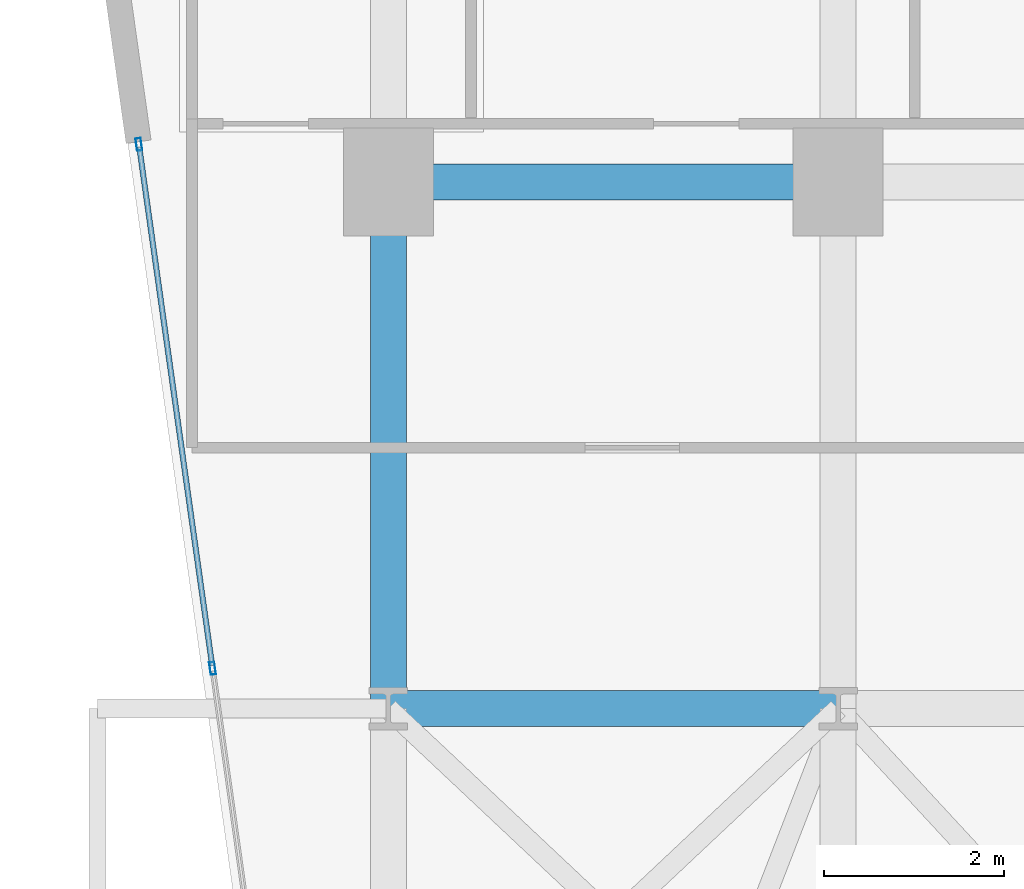
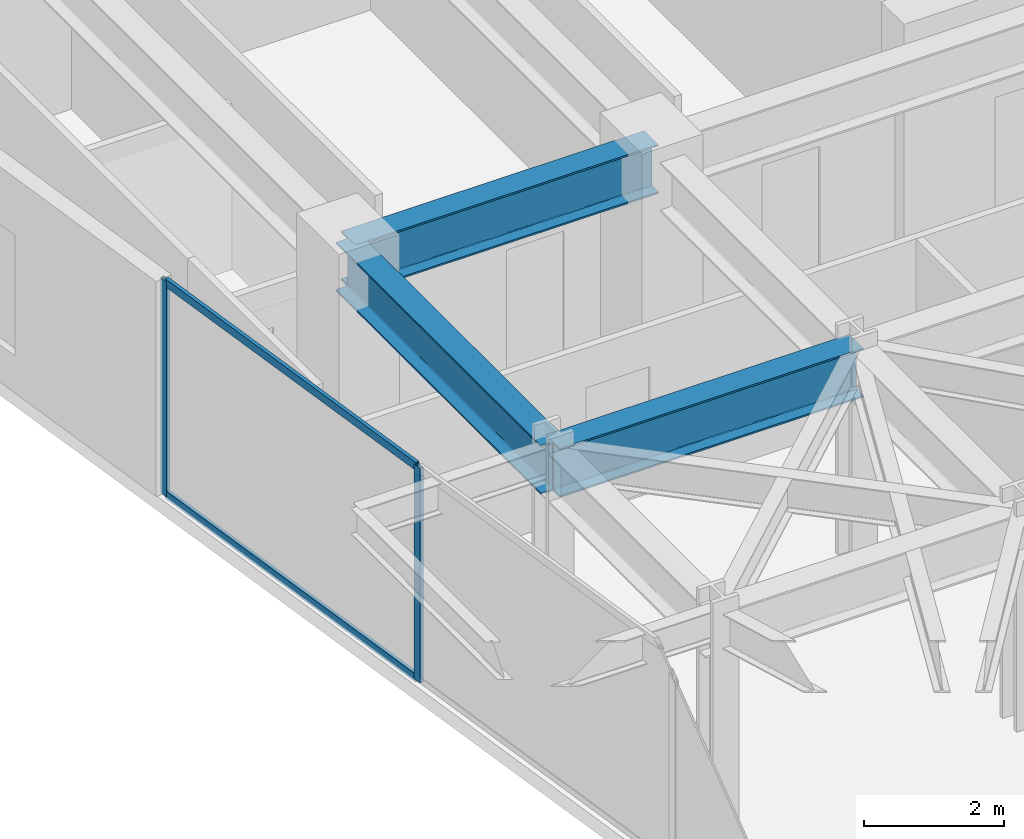
# One storey, part 11 of 26: 4 members, 3 beams, 1 element without a shape of its own.
"""IFC4 building model written with IfcOpenShell, lengths in metres."""

from ifc_helpers import new_model, si_unit, direction, frame, origin, origin_2d, place, context, subcontext, project, spatial, hollow_rectangle, i_section, extrude, material, layer, layer_set, material_profile, profile_set, type_object, element, aggregate, save


model = new_model("IFC4")

# Units and contexts
model_context = context("Model", 3, precision=1e-05, world=origin(), true_north=direction((0.0, 1.0)))
body_context = subcontext(model_context, "Body", "Model", "MODEL_VIEW")
ifc_project = project(units=[si_unit("LENGTHUNIT", "METRE"), si_unit("AREAUNIT", "SQUARE_METRE"), si_unit("VOLUMEUNIT", "CUBIC_METRE"), si_unit("PLANEANGLEUNIT", "RADIAN"), si_unit("MASSUNIT", "GRAM", prefix="KILO")], contexts=[model_context])

# Site, building, storey
site_placement = place(None, origin())
site = spatial("IfcSite", under=ifc_project, at=site_placement, CompositionType="ELEMENT")
building_placement = place(site_placement, origin())
building = spatial("IfcBuilding", under=site, at=building_placement, Name="Kravanh Interchange Tower", CompositionType="ELEMENT")
storey_placement = place(building_placement, frame((0.0, 0.0, 100.0)))
storey = spatial("IfcBuildingStorey", under=building, at=storey_placement, Name="L23", CompositionType="ELEMENT", Elevation=100.0)

# Curtain wall, members
ifc_material_1 = material(Name="Anodised Bronze Aluminium", Category="aluminium")
ifc_layer = layer(ifc_material_1, 0.179931640625)
ifc_layer_set = layer_set([ifc_layer], Name="Unitised Curtain Wall System CW-Z2 Mid Office")
curtain_wall_type = type_object("IfcCurtainWallType", Name="Unitised Curtain Wall System CW-Z2 Mid Office", PredefinedType="NOTDEFINED", material=ifc_layer_set)
curtain_wall_placement = place(storey_placement, origin())
curtain_wall = element("IfcCurtainWall", 1, at=curtain_wall_placement, inside=storey, type_object=curtain_wall_type, Name="L23 Unitised Curtain Wall CW-L23-01", PredefinedType="NOTDEFINED")
ifc_material_2 = material(Name="Anodised Bronze Aluminium", Category="aluminium")
ifc_material_profile_1 = material_profile(ifc_material_2, hollow_rectangle(XDim=0.06005859375, YDim=0.139892578125, WallThickness=0.00390625, at=origin_2d()), Name="ALU60X140X4")
ifc_profile_set_1 = profile_set([ifc_material_profile_1], Name="Anodised Bronze Aluminium")
member_type_1 = type_object("IfcMemberType", Name="Curtain Wall Mullion ALU60X140X4 Bronze", PredefinedType="MULLION", material=ifc_profile_set_1)
member_1_placement = place(storey_placement, frame((11.6474609375, 31.94775390625, 0.0), z_axis=(0.0, 0.0, 1.0), x_axis=(-0.990268103846, -0.13917285118, 0.0)))
member_1 = element("IfcMember", 2, at=member_1_placement, type_object=member_type_1, Name="CW-Z2 mullion 5", PredefinedType="MULLION", context=body_context, shape_type="SweptSolid", body=[
    extrude(hollow_rectangle(XDim=0.06005859375, YDim=0.139892578125, WallThickness=0.00390625, at=origin_2d()), origin(), (0.0, 0.0, 1.0), 3.75),
])
member_2_placement = place(storey_placement, frame((10.8291015625, 37.770263671875, 0.0), z_axis=(0.0, 0.0, 1.0), x_axis=(-0.990268103846, -0.13917285118, 0.0)))
member_2 = element("IfcMember", 3, at=member_2_placement, type_object=member_type_1, Name="CW-Z2 mullion 6", PredefinedType="MULLION", context=body_context, shape_type="SweptSolid", body=[
    extrude(hollow_rectangle(XDim=0.06005859375, YDim=0.139892578125, WallThickness=0.00390625, at=origin_2d()), origin(), (0.0, 0.0, 1.0), 3.75),
])
ifc_material_3 = material(Name="Anodised Bronze Aluminium", Category="aluminium")
ifc_material_profile_2 = material_profile(ifc_material_3, hollow_rectangle(XDim=0.06005859375, YDim=0.139892578125, WallThickness=0.00390625, at=origin_2d()), Name="ALU60X140X4")
ifc_profile_set_2 = profile_set([ifc_material_profile_2], Name="Anodised Bronze Aluminium")
member_type_2 = type_object("IfcMemberType", Name="Curtain Wall Transom ALU60X140X4 Bronze", PredefinedType="USERDEFINED", material=ifc_profile_set_2)
member_3_placement = place(storey_placement, frame((11.643310546875, 31.9775390625, 0.030029296875), z_axis=(-0.139195052528, 0.990264983402, 0.0), x_axis=(-0.990264983402, -0.139195052528, 0.0)))
member_3 = element("IfcMember", 4, at=member_3_placement, type_object=member_type_2, Name="CW-Z2 transom 5.1", ObjectType="TRANSOM", PredefinedType="USERDEFINED", context=body_context, shape_type="SweptSolid", body=[
    extrude(hollow_rectangle(XDim=0.06005859375, YDim=0.139892578125, WallThickness=0.00390625, at=origin_2d()), origin(), (0.0, 0.0, 1.0), 5.819580078125),
])
member_4_placement = place(storey_placement, frame((11.643310546875, 31.9775390625, 3.719970703125), z_axis=(-0.139195052528, 0.990264983402, 0.0), x_axis=(-0.990264983402, -0.139195052528, 0.0)))
member_4 = element("IfcMember", 5, at=member_4_placement, type_object=member_type_2, Name="CW-Z2 transom 5.2", ObjectType="TRANSOM", PredefinedType="USERDEFINED", context=body_context, shape_type="SweptSolid", body=[
    extrude(hollow_rectangle(XDim=0.06005859375, YDim=0.139892578125, WallThickness=0.00390625, at=origin_2d()), origin(), (0.0, 0.0, 1.0), 5.819580078125),
])
aggregate(curtain_wall, [member_1, member_2, member_3, member_4])

# Beams
ifc_material_4 = material(Name="Structural Steel S355", Category="steel")
ifc_material_profile_3 = material_profile(ifc_material_4, i_section(OverallWidth=0.39990234375, OverallDepth=0.85595703125, WebThickness=0.018310546875, FlangeThickness=0.029296875, FilletRadius=0.02490234375, at=origin_2d()), Name="W33X201")
ifc_profile_set_3 = profile_set([ifc_material_profile_3], Name="Structural Steel S355")
beam_type = type_object("IfcBeamType", Name="Floor Beam W33X201 Structural Steel S355", PredefinedType="BEAM", material=ifc_profile_set_3)
beam_1_placement = place(storey_placement, frame((18.60009765625, 37.35009765625, 3.322021484375), z_axis=(-1.0, 0.0, 0.0), x_axis=(0.0, -1.0, 0.0)))
element("IfcBeam", 6, at=beam_1_placement, inside=storey, type_object=beam_type, Name="L23 Primary Floor Girder 28", PredefinedType="BEAM", context=body_context, shape_type="SweptSolid", body=[
    extrude(i_section(OverallWidth=0.39990234375, OverallDepth=0.85595703125, WebThickness=0.018310546875, FlangeThickness=0.029296875, FilletRadius=0.02490234375, at=origin_2d()), origin(), (0.0, 0.0, 1.0), 5.0),
])
beam_2_placement = place(storey_placement, frame((13.60009765625, 37.35009765625, 3.322021484375), z_axis=(0.0, -1.0, 0.0), x_axis=(1.0, 0.0, 0.0)))
element("IfcBeam", 7, at=beam_2_placement, inside=storey, type_object=beam_type, Name="L23 Primary Floor Girder 32", PredefinedType="BEAM", context=body_context, shape_type="SweptSolid", body=[
    extrude(i_section(OverallWidth=0.39990234375, OverallDepth=0.85595703125, WebThickness=0.018310546875, FlangeThickness=0.029296875, FilletRadius=0.02490234375, at=origin_2d()), origin(), (0.0, 0.0, 1.0), 5.85009765625),
])
beam_3_placement = place(storey_placement, frame((13.60009765625, 31.5, 3.322021484375), z_axis=(1.0, 0.0, 0.0), x_axis=(0.0, 1.0, 0.0)))
element("IfcBeam", 8, at=beam_3_placement, inside=storey, type_object=beam_type, Name="L23 Primary Floor Girder 69", PredefinedType="BEAM", context=body_context, shape_type="SweptSolid", body=[
    extrude(i_section(OverallWidth=0.39990234375, OverallDepth=0.85595703125, WebThickness=0.018310546875, FlangeThickness=0.029296875, FilletRadius=0.02490234375, at=origin_2d()), origin(), (0.0, 0.0, 1.0), 5.0),
])

save(model, "model.ifc")
